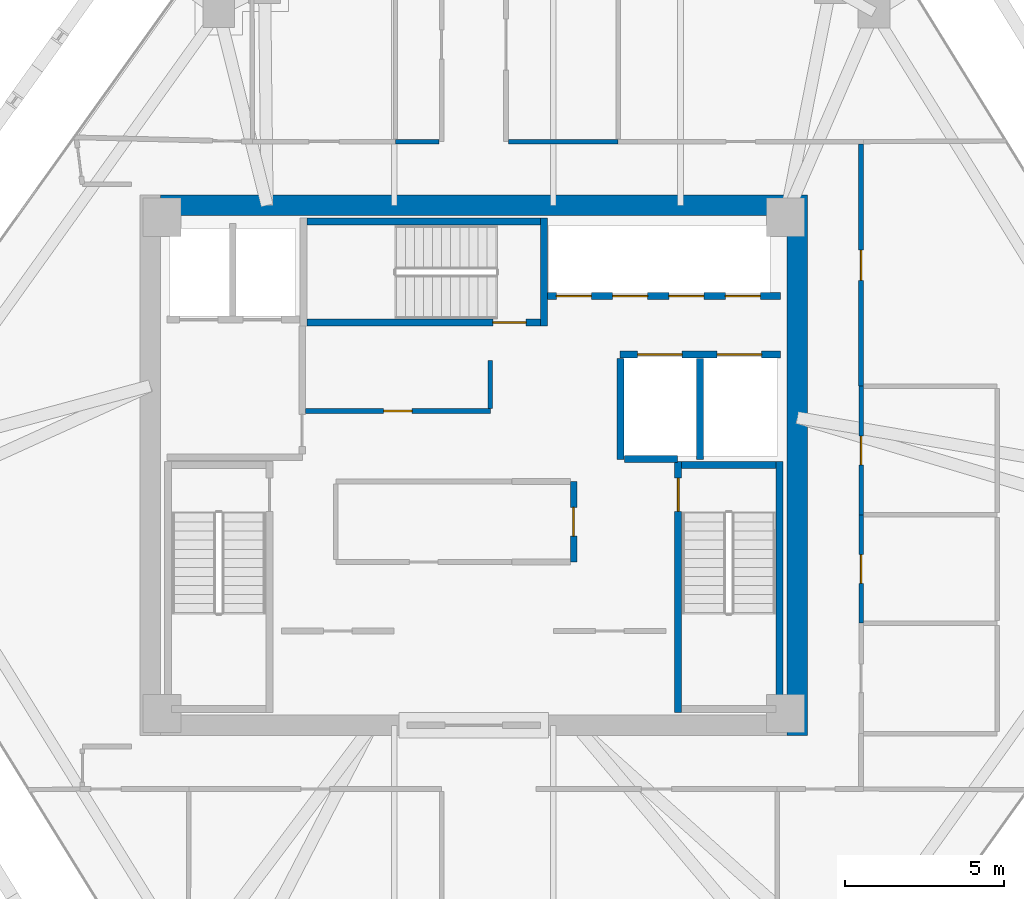
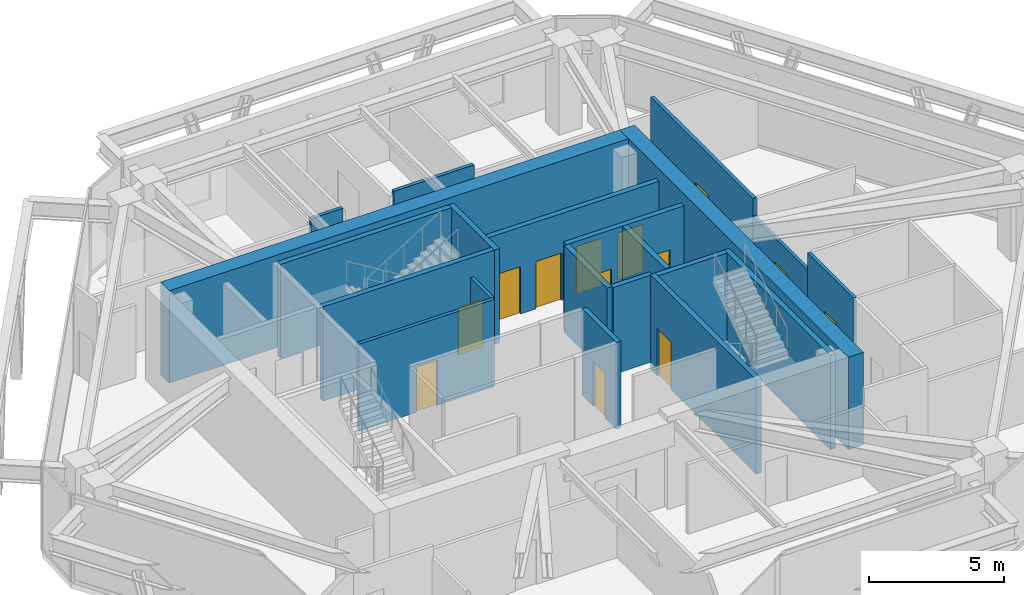
# One storey, part 9 of 11: 21 walls, 13 doors, 13 openings.
"""IFC4 building model written with IfcOpenShell, lengths in metres."""

import ifcopenshell
import ifcopenshell.guid

model = None  # the IFC model being written
_history = None  # IfcOwnerHistory: only IFC2X3 demands one
_inside = {}  # id of a spatial element -> (the spatial element, [elements in it])
_under = {}  # id of a project, library or spatial element -> (it, [spatial elements below it])
_declared = {}  # id of a project -> (the project, [libraries it declares])
_typed = {}  # id of a type object -> (the type object, [elements of that type])
_made_of = {}  # id of a material, layer set ... -> (it, [elements and type objects made of it])


def new_model(schema):
    """Start an empty IFC model of exactly this schema.

    Asked for "IFC4X3", IfcOpenShell would pick the latest addendum, in which some entities
    have other attributes; the version numbers below select the first issue.
    IFC2X3 requires an IfcOwnerHistory on every rooted entity: one is made here for all.
    """
    global model, _history
    if schema == "IFC4X3":
        model = ifcopenshell.file(schema_version=(4, 3, 0, 0))
    else:
        model = ifcopenshell.file(schema=schema)
    _inside.clear()
    _under.clear()
    _declared.clear()
    _typed.clear()
    _made_of.clear()
    _history = None
    if model.schema == "IFC2X3":
        org = make("IfcOrganization", Name="unknown")
        user = make(
            "IfcPersonAndOrganization",
            ThePerson=make("IfcPerson", FamilyName="unknown"),
            TheOrganization=org,
        )
        app = make(
            "IfcApplication",
            ApplicationDeveloper=org,
            Version="unknown",
            ApplicationFullName="unknown",
            ApplicationIdentifier="unknown",
        )
        _history = make(
            "IfcOwnerHistory",
            OwningUser=user,
            OwningApplication=app,
            ChangeAction="ADDED",
            CreationDate=0,
        )
    return model


def make(cls, **values):
    """One entity of the class cls with the attributes given. An attribute that is None is left unset."""
    return model.create_entity(
        cls, **{name: value for name, value in values.items() if value is not None}
    )


def rooted(cls, **values):
    """An entity with a GlobalId (a new one), such as an element, a storey or a relation."""
    return make(cls, GlobalId=ifcopenshell.guid.new(), OwnerHistory=_history, **values)


def si_unit(unit_type, name, prefix=None):
    """IfcSIUnit, for example si_unit("LENGTHUNIT", "METRE", prefix="MILLI")."""
    return make("IfcSIUnit", UnitType=unit_type, Prefix=prefix, Name=name)


def assignment(units):
    """IfcUnitAssignment: the units of a project."""
    return None if units is None else make("IfcUnitAssignment", Units=units)


def point(xyz):
    """IfcCartesianPoint."""
    return None if xyz is None else make("IfcCartesianPoint", Coordinates=xyz)


def direction(xyz):
    """IfcDirection."""
    return None if xyz is None else make("IfcDirection", DirectionRatios=xyz)


def frame(location, z_axis=None, x_axis=None):
    """IfcAxis2Placement3D, a coordinate frame: its origin and axes. An axis left out is left unset."""
    return make(
        "IfcAxis2Placement3D",
        Location=point(location),
        Axis=direction(z_axis),
        RefDirection=direction(x_axis),
    )


def frame_2d(location, x_axis=None):
    """IfcAxis2Placement2D, a coordinate frame in the plane: its origin and x axis."""
    return make(
        "IfcAxis2Placement2D", Location=point(location), RefDirection=direction(x_axis)
    )


def origin():
    """The frame at (0, 0, 0) with its axes left unset."""
    return frame((0.0, 0.0, 0.0))


def place(relative_to, where):
    """IfcLocalPlacement: puts the frame where relative to a parent placement (None: the world)."""
    return make(
        "IfcLocalPlacement", PlacementRelTo=relative_to, RelativePlacement=where
    )


def context(
    kind, dimensions, precision=None, world=None, true_north=None, identifier=None
):
    """IfcGeometricRepresentationContext, for example the 3D "Model" context."""
    return make(
        "IfcGeometricRepresentationContext",
        ContextIdentifier=identifier,
        ContextType=kind,
        CoordinateSpaceDimension=dimensions,
        Precision=precision,
        WorldCoordinateSystem=world,
        TrueNorth=true_north,
    )


def subcontext(parent, identifier, kind, view, scale=None):
    """IfcGeometricRepresentationSubContext, for example "Body" below "Model"."""
    return make(
        "IfcGeometricRepresentationSubContext",
        ContextIdentifier=identifier,
        ContextType=kind,
        ParentContext=parent,
        TargetScale=scale,
        TargetView=view,
    )


def project(units=None, contexts=None):
    """IfcProject with its units and contexts."""
    return rooted(
        "IfcProject",
        Name="project",
        RepresentationContexts=contexts,
        UnitsInContext=assignment(units),
    )


def spatial(cls, under=None, at=None, **own):
    """A site, building, storey or space (cls), placed at a placement, below another one or the project."""
    s = rooted(cls, ObjectPlacement=at, **own)
    if under is not None:
        _under.setdefault(under.id(), (under, []))[1].append(s)
    return s


def profile(cls, at=None, kind="AREA", **sizes):
    """A parametric profile (cls). Its sizes go by their IFC names, for example OverallWidth=200.0."""
    return make(cls, ProfileType=kind, Position=at, **sizes)


def rectangle(**sizes):
    """IfcRectangleProfileDef."""
    return profile("IfcRectangleProfileDef", **sizes)


def extrude(swept, where, along, depth):
    """IfcExtrudedAreaSolid: the profile swept, set in the frame where, extruded along a direction by depth."""
    return make(
        "IfcExtrudedAreaSolid",
        SweptArea=swept,
        Position=where,
        ExtrudedDirection=direction(along),
        Depth=depth,
    )


def shape(context_of_items, identifier, shape_type, items):
    """IfcShapeRepresentation: the items that make up one representation, for example the "Body"."""
    return make(
        "IfcShapeRepresentation",
        ContextOfItems=context_of_items,
        RepresentationIdentifier=identifier,
        RepresentationType=shape_type,
        Items=items,
    )


def source(mapping_origin, context_of_items, identifier, shape_type, items):
    """IfcRepresentationMap: a shape defined once, which mapped items show again and again."""
    return make(
        "IfcRepresentationMap",
        MappingOrigin=mapping_origin,
        MappedRepresentation=shape(context_of_items, identifier, shape_type, items),
    )


def transform(
    local_origin,
    x_axis=None,
    y_axis=None,
    z_axis=None,
    scale=None,
    scale2=None,
    scale3=None,
    uniform=True,
):
    """IfcCartesianTransformationOperator3D, or its non-uniform kind. x_axis, y_axis, z_axis: its Axis1, 2, 3."""
    if uniform:
        return make(
            "IfcCartesianTransformationOperator3D",
            Axis1=direction(x_axis),
            Axis2=direction(y_axis),
            LocalOrigin=point(local_origin),
            Scale=scale,
            Axis3=direction(z_axis),
        )
    return make(
        "IfcCartesianTransformationOperator3DnonUniform",
        Axis1=direction(x_axis),
        Axis2=direction(y_axis),
        LocalOrigin=point(local_origin),
        Scale=scale,
        Axis3=direction(z_axis),
        Scale2=scale2,
        Scale3=scale3,
    )


def mapped(mapping_source, mapping_target):
    """IfcMappedItem: shows the shape of a source again, moved by a transform."""
    return make(
        "IfcMappedItem", MappingSource=mapping_source, MappingTarget=mapping_target
    )


def material(Name=None, Category=None):
    """IfcMaterial."""
    return make("IfcMaterial", Name=Name, Category=Category)


def layer(
    of_material, thickness, ventilated=None, Name=None, Category=None, Priority=None
):
    """IfcMaterialLayer: one layer of a wall or slab, of a material (None: an air gap)."""
    return make(
        "IfcMaterialLayer",
        Material=of_material,
        LayerThickness=thickness,
        IsVentilated=ventilated,
        Name=Name,
        Category=Category,
        Priority=Priority,
    )


def layer_set(layers, Name=None):
    """IfcMaterialLayerSet."""
    return make("IfcMaterialLayerSet", MaterialLayers=layers, LayerSetName=Name)


def made_of(thing, what):
    """Note that an element or type object is made of a material, layer set ...; save() writes the relation."""
    if what is not None:
        _made_of.setdefault(what.id(), (what, []))[1].append(thing)
    return thing


def type_object(cls, material=None, **own):
    """A type object (cls), such as IfcWallType, which elements share."""
    return made_of(rooted(cls, **own), material)


def type_shapes(of_type, sources):
    """Give a type object the sources (RepresentationMaps) that its elements show as mapped items."""
    of_type.RepresentationMaps = sources


def element(
    cls,
    number,
    at=None,
    inside=None,
    cuts=None,
    type_object=None,
    material=None,
    context=None,
    identifier="Body",
    shape_type=None,
    held_by="IfcProductDefinitionShape",
    body=None,
    shapes=None,
    **own,
):
    """One element of the class cls, such as IfcWall. Its Tag is "e" and its number.

    at: its placement. inside: the storey or other place that contains it. cuts: it is an
    opening in that element (IfcRelVoidsElement). A single representation is given by context,
    identifier, shape_type and body (its items); several are given by shapes. held_by: the class
    of the entity that holds the representations. save() writes the other relations.
    """
    e = rooted(cls, Tag="e%d" % number, ObjectPlacement=at, **own)
    if body is not None:
        shapes = [shape(context, identifier, shape_type, body)]
    if shapes is not None:
        e.Representation = make(held_by, Representations=shapes)
    if inside is not None:
        _inside.setdefault(inside.id(), (inside, []))[1].append(e)
    if cuts is not None:
        rooted(
            "IfcRelVoidsElement", RelatingBuildingElement=cuts, RelatedOpeningElement=e
        )
    if type_object is not None:
        _typed.setdefault(type_object.id(), (type_object, []))[1].append(e)
    return made_of(e, material)


def fill(opening, filler):
    """IfcRelFillsElement: the door or window that sits in an opening."""
    return rooted(
        "IfcRelFillsElement",
        RelatingOpeningElement=opening,
        RelatedBuildingElement=filler,
    )


def aggregate(whole, parts):
    """IfcRelAggregates: a whole, such as a stair, and the parts it consists of."""
    return rooted("IfcRelAggregates", RelatingObject=whole, RelatedObjects=parts)


def save(model, path):
    """Write the relations noted so far, then the file.

    IfcRelAggregates (storeys below a building ...), IfcRelContainedInSpatialStructure (elements
    in a storey), IfcRelDefinesByType, IfcRelAssociatesMaterial and IfcRelDeclares: one each for
    every whole, place, type object, material and project.
    """
    for whole, parts in _under.values():
        aggregate(whole, parts)
    for where, things in _inside.values():
        rooted(
            "IfcRelContainedInSpatialStructure",
            RelatedElements=things,
            RelatingStructure=where,
        )
    for kind, things in _typed.values():
        rooted("IfcRelDefinesByType", RelatedObjects=things, RelatingType=kind)
    for what, things in _made_of.values():
        rooted("IfcRelAssociatesMaterial", RelatedObjects=things, RelatingMaterial=what)
    for by, libraries in _declared.values():
        rooted("IfcRelDeclares", RelatingContext=by, RelatedDefinitions=libraries)
    model.write(path)


model = new_model("IFC4")

# Units and contexts
model_context = context("Model", 3, precision=1e-05, world=origin(), true_north=direction((0.0, 1.0)))
body_context = subcontext(model_context, "Body", "Model", "MODEL_VIEW")
ifc_project = project(units=[si_unit("LENGTHUNIT", "METRE"), si_unit("AREAUNIT", "SQUARE_METRE"), si_unit("VOLUMEUNIT", "CUBIC_METRE"), si_unit("PLANEANGLEUNIT", "RADIAN"), si_unit("MASSUNIT", "GRAM", prefix="KILO")], contexts=[model_context])

# Site, building, storey
site_placement = place(None, origin())
site = spatial("IfcSite", under=ifc_project, at=site_placement, CompositionType="ELEMENT")
building_placement = place(site_placement, origin())
building = spatial("IfcBuilding", under=site, at=building_placement, Name="Durnholm Broadcast Tower", CompositionType="ELEMENT")
storey_placement = place(building_placement, frame((0.0, 0.0, 155.10009765625)))
storey = spatial("IfcBuildingStorey", under=building, at=storey_placement, Name="L42", CompositionType="ELEMENT", Elevation=155.10009765625)

# Walls
ifc_material_1 = material(Name="Concrete C70/85", Category="concrete")
ifc_layer_1 = layer(ifc_material_1, 0.64990234375)
ifc_layer_set_1 = layer_set([ifc_layer_1], Name="Concrete C70/85")
wall_type_1 = type_object("IfcWallType", Name="WALL-CW-650", PredefinedType="SHEAR", material=ifc_layer_set_1)
wall_1_placement = place(storey_placement, frame((10.175048828125, -8.5, 0.0), z_axis=(0.0, 0.0, 1.0), x_axis=(0.0, 1.0, 0.0)))
element("IfcWall", 1, at=wall_1_placement, inside=storey, type_object=wall_type_1, Name="L42 central core shear wall CW-EAST", PredefinedType="SHEAR", context=body_context, shape_type="SweptSolid", body=[
    extrude(rectangle(XDim=17.0, YDim=0.64990234375, at=frame_2d((8.5, 0.0))), origin(), (0.0, 0.0, 1.0), 4.199951171875),
])
wall_2_placement = place(storey_placement, frame((-9.85009765625, 8.175048828125, 0.0), z_axis=(0.0, 0.0, 1.0), x_axis=(1.0, 0.0, 0.0)))
element("IfcWall", 2, at=wall_2_placement, inside=storey, type_object=wall_type_1, Name="L42 central core shear wall CW-N", PredefinedType="SHEAR", context=body_context, shape_type="SweptSolid", body=[
    extrude(rectangle(XDim=19.7001953125, YDim=0.64990234375, at=frame_2d((9.85009765625, 0.0))), origin(), (0.0, 0.0, 1.0), 4.199951171875),
])

# Wall, opening, door
ifc_material_2 = material(Name="Fire-Rated Gypsum Shaftwall", Category="concrete")
ifc_layer_2 = layer(ifc_material_2, 0.199951171875)
ifc_layer_set_2 = layer_set([ifc_layer_2], Name="Fire-Rated Gypsum Shaftwall")
wall_type_2 = type_object("IfcWallType", Name="WALL-LOB-200", PredefinedType="SOLIDWALL", material=ifc_layer_set_2)
wall_3_placement = place(storey_placement, frame((3.139892578125, -0.510009765625, 0.0), z_axis=(0.0, 0.0, 1.0), x_axis=(0.0, -1.0, 0.0)))
wall_3 = element("IfcWall", 3, at=wall_3_placement, inside=storey, type_object=wall_type_2, Name="L42 Core IT Telecom Room corridor partition", PredefinedType="SOLIDWALL", context=body_context, shape_type="SweptSolid", body=[
    extrude(rectangle(XDim=2.530029296875, YDim=0.199951171875, at=frame_2d((1.26513671875, 0.0))), origin(), (0.0, 0.0, 1.0), 3.94482421875),
])
opening_1_placement = place(wall_3_placement, frame((0.81494140625, 0.0, 0.0)))
opening_1 = element("IfcOpeningElement", 4, at=opening_1_placement, cuts=wall_3, Name="Opening DC-60R", PredefinedType="OPENING", context=body_context, shape_type="SweptSolid", body=[
    extrude(rectangle(XDim=0.89990234375, YDim=2.050048828125, at=frame_2d((0.449951171875, 1.02490234375))), frame((0.0, 0.10986328125, 0.0), z_axis=(0.0, -1.0, 0.0), x_axis=(1.0, 0.0, 0.0)), (0.0, 0.0, 1.0), 0.219970703125),
])
ifc_material_3 = material(Name="Fire-Rated Core Service Door", Category="steel")
ifc_layer_3 = layer(ifc_material_3, 0.050048828125)
ifc_layer_set_3 = layer_set([ifc_layer_3], Name="Fire-Rated Core Service Door")
door_type_1 = type_object("IfcDoorType", Name="DOOR-CORE-FD60-R", OperationType="NOTDEFINED", PredefinedType="DOOR", material=ifc_layer_set_3)
shared_shape_1 = source(origin(), body_context, "Body", "SweptSolid", [
    extrude(rectangle(XDim=0.89990234375, YDim=2.050048828125, at=frame_2d((0.449951171875, 1.02490234375))), frame((0.0, 0.02490234375, 0.0), z_axis=(0.0, -1.0, 0.0), x_axis=(1.0, 0.0, 0.0)), (0.0, 0.0, 1.0), 0.050048828125),
])
type_shapes(door_type_1, [shared_shape_1])
door_1_placement = place(opening_1_placement, origin())
door_1 = element("IfcDoor", 5, at=door_1_placement, inside=storey, type_object=door_type_1, Name="L42 Core IT Telecom Room entrance door", OperationType="SINGLE_SWING_RIGHT", OverallHeight=2.050048828125, OverallWidth=0.89990234375, PredefinedType="DOOR", context=body_context, shape_type="MappedRepresentation", body=[
    mapped(shared_shape_1, transform((0.0, 0.0, 0.0), x_axis=(1.0, 0.0, 0.0), y_axis=(0.0, 1.0, 0.0), z_axis=(0.0, 0.0, 1.0), scale=1.0)),
])
fill(opening_1, door_1)

ifc_material_4 = material(Name="Acoustic Gypsum Stud Partition", Category="concrete")
ifc_layer_4 = layer(ifc_material_4, 0.14990234375)
ifc_layer_set_4 = layer_set([ifc_layer_4], Name="Acoustic Gypsum Stud Partition")
wall_type_3 = type_object("IfcWallType", Name="WALL-PART-150", PredefinedType="PARTITIONING", material=ifc_layer_set_4)
wall_4_placement = place(storey_placement, frame((0.52001953125, 1.7099609375, 0.0), z_axis=(0.0, 0.0, 1.0), x_axis=(-1.0, 0.0, 0.0)))
wall_4 = element("IfcWall", 6, at=wall_4_placement, inside=storey, type_object=wall_type_3, Name="L42 Core Housekeeping Room corridor partition", PredefinedType="PARTITIONING", context=body_context, shape_type="SweptSolid", body=[
    extrude(rectangle(XDim=5.81591796875, YDim=0.14990234375, at=frame_2d((2.907958984375, 0.0))), origin(), (0.0, 0.0, 1.0), 3.94482421875),
])
opening_2_placement = place(wall_4_placement, frame((2.4580078125, 0.0, 0.0)))
opening_2 = element("IfcOpeningElement", 7, at=opening_2_placement, cuts=wall_4, Name="Opening DC-60L", PredefinedType="OPENING", context=body_context, shape_type="SweptSolid", body=[
    extrude(rectangle(XDim=0.89990234375, YDim=2.050048828125, at=frame_2d((0.449951171875, 1.02490234375))), frame((0.0, 0.0849609375, 0.0), z_axis=(0.0, -1.0, 0.0), x_axis=(1.0, 0.0, 0.0)), (0.0, 0.0, 1.0), 0.169921875),
])
ifc_layer_5 = layer(ifc_material_3, 0.050048828125)
ifc_layer_set_5 = layer_set([ifc_layer_5], Name="Fire-Rated Core Service Door")
door_type_2 = type_object("IfcDoorType", Name="DOOR-CORE-FD60-L", OperationType="NOTDEFINED", PredefinedType="DOOR", material=ifc_layer_set_5)
shared_shape_2 = source(origin(), body_context, "Body", "SweptSolid", [
    extrude(rectangle(XDim=0.89990234375, YDim=2.050048828125, at=frame_2d((0.449951171875, 1.02490234375))), frame((0.0, 0.02490234375, 0.0), z_axis=(0.0, -1.0, 0.0), x_axis=(1.0, 0.0, 0.0)), (0.0, 0.0, 1.0), 0.050048828125),
])
type_shapes(door_type_2, [shared_shape_2])
door_2_placement = place(opening_2_placement, origin())
door_2 = element("IfcDoor", 8, at=door_2_placement, inside=storey, type_object=door_type_2, Name="L42 Core Housekeeping Room entrance door", OperationType="SINGLE_SWING_LEFT", OverallHeight=2.050048828125, OverallWidth=0.89990234375, PredefinedType="DOOR", context=body_context, shape_type="MappedRepresentation", body=[
    mapped(shared_shape_2, transform((0.0, 0.0, 0.0), x_axis=(1.0, 0.0, 0.0), y_axis=(0.0, 1.0, 0.0), z_axis=(0.0, 0.0, 1.0), scale=1.0)),
])
fill(opening_2, door_2)

# Walls
wall_5_placement = place(storey_placement, frame((0.52001953125, 3.300048828125, 0.0), z_axis=(0.0, 0.0, 1.0), x_axis=(0.0, -1.0, 0.0)))
element("IfcWall", 9, at=wall_5_placement, inside=storey, type_object=wall_type_3, Name="L42 Core Housekeeping Room corridor partition", PredefinedType="PARTITIONING", context=body_context, shape_type="SweptSolid", body=[
    extrude(rectangle(XDim=1.510986328125, YDim=0.14990234375, at=frame_2d((0.75537109375, 0.0))), origin(), (0.0, 0.0, 1.0), 3.94482421875),
])
wall_6_placement = place(storey_placement, frame((-1.089111328125, 10.179931640625, 0.0), z_axis=(0.0, 0.0, 1.0), x_axis=(-1.0, 0.0, 0.0)))
element("IfcWall", 10, at=wall_6_placement, inside=storey, type_object=wall_type_3, Name="L42 Sky Terrace Lounge corridor partition", PredefinedType="PARTITIONING", context=body_context, shape_type="SweptSolid", body=[
    extrude(rectangle(XDim=1.370849609375, YDim=0.14990234375, at=frame_2d((0.685546875, 0.0))), origin(), (0.0, 0.0, 1.0), 3.50830078125),
])
wall_7_placement = place(storey_placement, frame((4.5400390625, 10.179931640625, 0.0), z_axis=(0.0, 0.0, 1.0), x_axis=(-1.0, 0.0, 0.0)))
element("IfcWall", 11, at=wall_7_placement, inside=storey, type_object=wall_type_3, Name="L42 Town Hall Meeting Room corridor partition", PredefinedType="PARTITIONING", context=body_context, shape_type="SweptSolid", body=[
    extrude(rectangle(XDim=3.450927734375, YDim=0.14990234375, at=frame_2d((1.7255859375, 0.0))), origin(), (0.0, 0.0, 1.0), 3.50830078125),
])

# Wall, opening, door
wall_8_placement = place(storey_placement, frame((12.179931640625, 2.489990234375, 0.0), z_axis=(0.0, 0.0, 1.0), x_axis=(0.0, 1.0, 0.0)))
wall_8 = element("IfcWall", 12, at=wall_8_placement, inside=storey, type_object=wall_type_3, Name="L42 Sky Barista Kitchen corridor partition", PredefinedType="PARTITIONING", context=body_context, shape_type="SweptSolid", body=[
    extrude(rectangle(XDim=7.611083984375, YDim=0.14990234375, at=frame_2d((3.8056640625, 0.0))), origin(), (0.0, 0.0, 1.0), 3.94482421875),
])
opening_3_placement = place(wall_8_placement, frame((3.33056640625, 0.0, 0.0)))
opening_3 = element("IfcOpeningElement", 13, at=opening_3_placement, cuts=wall_8, Name="Opening DR-95R", PredefinedType="OPENING", context=body_context, shape_type="SweptSolid", body=[
    extrude(rectangle(XDim=0.949951171875, YDim=2.10009765625, at=frame_2d((0.47509765625, 1.050048828125))), frame((0.0, 0.0849609375, 0.0), z_axis=(0.0, -1.0, 0.0), x_axis=(1.0, 0.0, 0.0)), (0.0, 0.0, 1.0), 0.169921875),
])
ifc_material_5 = material(Name="Acoustic Oak Veneer Timber Door", Category="wood")
ifc_layer_6 = layer(ifc_material_5, 0.050048828125)
ifc_layer_set_6 = layer_set([ifc_layer_6], Name="Acoustic Oak Veneer Timber Door")
door_type_3 = type_object("IfcDoorType", Name="DOOR-RM-950R", OperationType="NOTDEFINED", PredefinedType="DOOR", material=ifc_layer_set_6)
shared_shape_3 = source(origin(), body_context, "Body", "SweptSolid", [
    extrude(rectangle(XDim=0.949951171875, YDim=2.10009765625, at=frame_2d((0.47509765625, 1.050048828125))), frame((0.0, 0.02490234375, 0.0), z_axis=(0.0, -1.0, 0.0), x_axis=(1.0, 0.0, 0.0)), (0.0, 0.0, 1.0), 0.050048828125),
])
type_shapes(door_type_3, [shared_shape_3])
door_3_placement = place(opening_3_placement, origin())
door_3 = element("IfcDoor", 14, at=door_3_placement, inside=storey, type_object=door_type_3, Name="L42 Sky Barista Kitchen entrance door", OperationType="SINGLE_SWING_RIGHT", OverallHeight=2.10009765625, OverallWidth=0.949951171875, PredefinedType="DOOR", context=body_context, shape_type="MappedRepresentation", body=[
    mapped(shared_shape_3, transform((0.0, 0.0, 0.0), x_axis=(1.0, 0.0, 0.0), y_axis=(0.0, 1.0, 0.0), z_axis=(0.0, 0.0, 1.0), scale=1.0)),
])
fill(opening_3, door_3)

# Wall, openings, doors
ifc_material_6 = material(Name="Concrete Blockwork C30/37", Category="masonry")
ifc_layer_7 = layer(ifc_material_6, 0.219970703125)
ifc_layer_set_7 = layer_set([ifc_layer_7], Name="Concrete Blockwork C30/37")
wall_type_4 = type_object("IfcWallType", Name="WALL-SHAFT-220", PredefinedType="SOLIDWALL", material=ifc_layer_set_7)
wall_9_placement = place(storey_placement, frame((4.60009765625, 3.47998046875, 0.0), z_axis=(0.0, 0.0, 1.0), x_axis=(1.0, 0.0, 0.0)))
wall_9 = element("IfcWall", 15, at=wall_9_placement, inside=storey, type_object=wall_type_4, Name="L42 freight service lifts north front wall", PredefinedType="SOLIDWALL", context=body_context, shape_type="SweptSolid", body=[
    extrude(rectangle(XDim=5.0498046875, YDim=0.219970703125, at=frame_2d((2.52490234375, 0.0))), origin(), (0.0, 0.0, 1.0), 3.94482421875),
])
opening_4_placement = place(wall_9_placement, frame((0.550048828125, 0.0, 0.0)))
opening_4 = element("IfcOpeningElement", 16, at=opening_4_placement, cuts=wall_9, Name="Opening LD-SVL-2", PredefinedType="OPENING", context=body_context, shape_type="SweptSolid", body=[
    extrude(rectangle(XDim=1.39990234375, YDim=2.14990234375, at=frame_2d((0.699951171875, 1.074951171875))), frame((0.0, 0.1201171875, 0.0), z_axis=(0.0, -1.0, 0.0), x_axis=(1.0, 0.0, 0.0)), (0.0, 0.0, 1.0), 0.239990234375),
])
opening_5_placement = place(wall_9_placement, frame((3.050048828125, 0.0, 0.0)))
opening_5 = element("IfcOpeningElement", 17, at=opening_5_placement, cuts=wall_9, Name="Opening LD-SVL-1", PredefinedType="OPENING", context=body_context, shape_type="SweptSolid", body=[
    extrude(rectangle(XDim=1.39990234375, YDim=2.14990234375, at=frame_2d((0.699951171875, 1.074951171875))), frame((0.0, 0.1201171875, 0.0), z_axis=(0.0, -1.0, 0.0), x_axis=(1.0, 0.0, 0.0)), (0.0, 0.0, 1.0), 0.239990234375),
])
ifc_material_7 = material(Name="Freight Elevator Bi-Parting Sliding Landing Door", Category="steel")
ifc_layer_8 = layer(ifc_material_7, 0.050048828125)
ifc_layer_set_8 = layer_set([ifc_layer_8], Name="Freight Elevator Bi-Parting Sliding Landing Door")
door_type_4 = type_object("IfcDoorType", Name="DOOR-LIFT-SVL", OperationType="DOUBLE_DOOR_SLIDING", PredefinedType="DOOR", material=ifc_layer_set_8)
shared_shape_4 = source(origin(), body_context, "Body", "SweptSolid", [
    extrude(rectangle(XDim=1.39990234375, YDim=2.14990234375, at=frame_2d((0.699951171875, 1.074951171875))), frame((0.0, 0.02490234375, 0.0), z_axis=(0.0, -1.0, 0.0), x_axis=(1.0, 0.0, 0.0)), (0.0, 0.0, 1.0), 0.050048828125),
])
type_shapes(door_type_4, [shared_shape_4])
door_4_placement = place(opening_4_placement, origin())
door_4 = element("IfcDoor", 18, at=door_4_placement, inside=storey, type_object=door_type_4, Name="L42 freight service elevator SVL-2 sliding landing door", OperationType="DOUBLE_DOOR_SLIDING", OverallHeight=2.14990234375, OverallWidth=1.39990234375, PredefinedType="DOOR", context=body_context, shape_type="MappedRepresentation", body=[
    mapped(shared_shape_4, transform((0.0, 0.0, 0.0), x_axis=(1.0, 0.0, 0.0), y_axis=(0.0, 1.0, 0.0), z_axis=(0.0, 0.0, 1.0), scale=1.0)),
])
fill(opening_4, door_4)
door_5_placement = place(opening_5_placement, origin())
door_5 = element("IfcDoor", 19, at=door_5_placement, inside=storey, type_object=door_type_4, Name="L42 freight service elevator SVL-1 sliding landing door", OperationType="DOUBLE_DOOR_SLIDING", OverallHeight=2.14990234375, OverallWidth=1.39990234375, PredefinedType="DOOR", context=body_context, shape_type="MappedRepresentation", body=[
    mapped(shared_shape_4, transform((0.0, 0.0, 0.0), x_axis=(1.0, 0.0, 0.0), y_axis=(0.0, 1.0, 0.0), z_axis=(0.0, 0.0, 1.0), scale=1.0)),
])
fill(opening_5, door_5)

# Walls
for number, where, z_axis, x_axis, name in (
    (20, (4.6201171875, 0.179931640625, 0.0), (0.0, 0.0, 1.0), (0.0, 1.0, 0.0), "L42 freight service lift SVL-2 west wall"),
    (21, (7.1201171875, 0.179931640625, 0.0), (0.0, 0.0, 1.0), (0.0, 1.0, 0.0), "L42 freight service lifts divider wall"),
):
    element("IfcWall", number, at=place(storey_placement, frame(where, z_axis=z_axis, x_axis=x_axis)), inside=storey, type_object=wall_type_4, Name=name, PredefinedType="SOLIDWALL", context=body_context, shape_type="SweptSolid", body=[
        extrude(rectangle(XDim=3.18603515625, YDim=0.219970703125, at=frame_2d((1.593017578125, 0.0))), origin(), (0.0, 0.0, 1.0), 3.94482421875),
    ])
wall_10_placement = place(storey_placement, frame((4.73388671875, 0.199951171875, 0.0), z_axis=(0.0, 0.0, 1.0), x_axis=(1.0, 0.0, 0.0)))
element("IfcWall", 22, at=wall_10_placement, inside=storey, type_object=wall_type_4, Name="L42 freight service lift SVL-2 south wall", PredefinedType="SOLIDWALL", context=body_context, shape_type="SweptSolid", body=[
    extrude(rectangle(XDim=1.666015625, YDim=0.219970703125, at=frame_2d((0.8330078125, 0.0))), origin(), (0.0, 0.0, 1.0), 3.94482421875),
])

# Wall, openings, doors
wall_11_placement = place(storey_placement, frame((2.324951171875, 5.320068359375, 0.0), z_axis=(0.0, 0.0, 1.0), x_axis=(1.0, 0.0, 0.0)))
wall_11 = element("IfcWall", 23, at=wall_11_placement, inside=storey, type_object=wall_type_4, Name="L42 high-rise bank P3 south front wall", PredefinedType="SOLIDWALL", context=body_context, shape_type="SweptSolid", body=[
    extrude(rectangle(XDim=7.324951171875, YDim=0.219970703125, at=frame_2d((3.66259765625, 0.0))), origin(), (0.0, 0.0, 1.0), 3.94482421875),
])
opening_6_placement = place(wall_11_placement, frame((0.27490234375, 0.0, 0.0)))
opening_6 = element("IfcOpeningElement", 24, at=opening_6_placement, cuts=wall_11, Name="Opening LD-LP3-1", PredefinedType="OPENING", context=body_context, shape_type="SweptSolid", body=[
    extrude(rectangle(XDim=1.10009765625, YDim=2.14990234375, at=frame_2d((0.550048828125, 1.074951171875))), frame((0.0, 0.1201171875, 0.0), z_axis=(0.0, -1.0, 0.0), x_axis=(1.0, 0.0, 0.0)), (0.0, 0.0, 1.0), 0.239990234375),
])
opening_7_placement = place(wall_11_placement, frame((2.044921875, 0.0, 0.0)))
opening_7 = element("IfcOpeningElement", 25, at=opening_7_placement, cuts=wall_11, Name="Opening LD-LP3-2", PredefinedType="OPENING", context=body_context, shape_type="SweptSolid", body=[
    extrude(rectangle(XDim=1.10009765625, YDim=2.14990234375, at=frame_2d((0.550048828125, 1.074951171875))), frame((0.0, 0.1201171875, 0.0), z_axis=(0.0, -1.0, 0.0), x_axis=(1.0, 0.0, 0.0)), (0.0, 0.0, 1.0), 0.239990234375),
])
opening_8_placement = place(wall_11_placement, frame((3.81494140625, 0.0, 0.0)))
opening_8 = element("IfcOpeningElement", 26, at=opening_8_placement, cuts=wall_11, Name="Opening LD-LP3-3", PredefinedType="OPENING", context=body_context, shape_type="SweptSolid", body=[
    extrude(rectangle(XDim=1.10009765625, YDim=2.14990234375, at=frame_2d((0.550048828125, 1.074951171875))), frame((0.0, 0.1201171875, 0.0), z_axis=(0.0, -1.0, 0.0), x_axis=(1.0, 0.0, 0.0)), (0.0, 0.0, 1.0), 0.239990234375),
])
opening_9_placement = place(wall_11_placement, frame((5.5849609375, 0.0, 0.0)))
opening_9 = element("IfcOpeningElement", 27, at=opening_9_placement, cuts=wall_11, Name="Opening LD-LP3-4", PredefinedType="OPENING", context=body_context, shape_type="SweptSolid", body=[
    extrude(rectangle(XDim=1.10009765625, YDim=2.14990234375, at=frame_2d((0.550048828125, 1.074951171875))), frame((0.0, 0.1201171875, 0.0), z_axis=(0.0, -1.0, 0.0), x_axis=(1.0, 0.0, 0.0)), (0.0, 0.0, 1.0), 0.239990234375),
])
ifc_material_8 = material(Name="Stainless Steel Sliding Elevator Landing Door", Category="steel")
ifc_layer_9 = layer(ifc_material_8, 0.050048828125)
ifc_layer_set_9 = layer_set([ifc_layer_9], Name="Stainless Steel Sliding Elevator Landing Door")
door_type_5 = type_object("IfcDoorType", Name="DOOR-LIFT-PAX", OperationType="DOUBLE_DOOR_SLIDING", PredefinedType="DOOR", material=ifc_layer_set_9)
shared_shape_5 = source(origin(), body_context, "Body", "SweptSolid", [
    extrude(rectangle(XDim=1.10009765625, YDim=2.14990234375, at=frame_2d((0.550048828125, 1.074951171875))), frame((0.0, 0.02490234375, 0.0), z_axis=(0.0, -1.0, 0.0), x_axis=(1.0, 0.0, 0.0)), (0.0, 0.0, 1.0), 0.050048828125),
])
type_shapes(door_type_5, [shared_shape_5])
door_6_placement = place(opening_6_placement, origin())
door_6 = element("IfcDoor", 28, at=door_6_placement, inside=storey, type_object=door_type_5, Name="L42 high-rise elevator LP3-1 sliding landing door", OperationType="DOUBLE_DOOR_SLIDING", OverallHeight=2.14990234375, OverallWidth=1.10009765625, PredefinedType="DOOR", context=body_context, shape_type="MappedRepresentation", body=[
    mapped(shared_shape_5, transform((0.0, 0.0, 0.0), x_axis=(1.0, 0.0, 0.0), y_axis=(0.0, 1.0, 0.0), z_axis=(0.0, 0.0, 1.0), scale=1.0)),
])
fill(opening_6, door_6)
door_7_placement = place(opening_7_placement, origin())
door_7 = element("IfcDoor", 29, at=door_7_placement, inside=storey, type_object=door_type_5, Name="L42 high-rise elevator LP3-2 sliding landing door", OperationType="DOUBLE_DOOR_SLIDING", OverallHeight=2.14990234375, OverallWidth=1.10009765625, PredefinedType="DOOR", context=body_context, shape_type="MappedRepresentation", body=[
    mapped(shared_shape_5, transform((0.0, 0.0, 0.0), x_axis=(1.0, 0.0, 0.0), y_axis=(0.0, 1.0, 0.0), z_axis=(0.0, 0.0, 1.0), scale=1.0)),
])
fill(opening_7, door_7)
door_8_placement = place(opening_8_placement, origin())
door_8 = element("IfcDoor", 30, at=door_8_placement, inside=storey, type_object=door_type_5, Name="L42 high-rise elevator LP3-3 sliding landing door", OperationType="DOUBLE_DOOR_SLIDING", OverallHeight=2.14990234375, OverallWidth=1.10009765625, PredefinedType="DOOR", context=body_context, shape_type="MappedRepresentation", body=[
    mapped(shared_shape_5, transform((0.0, 0.0, 0.0), x_axis=(1.0, 0.0, 0.0), y_axis=(0.0, 1.0, 0.0), z_axis=(0.0, 0.0, 1.0), scale=1.0)),
])
fill(opening_8, door_8)
door_9_placement = place(opening_9_placement, origin())
door_9 = element("IfcDoor", 31, at=door_9_placement, inside=storey, type_object=door_type_5, Name="L42 high-rise elevator LP3-4 sliding landing door", OperationType="DOUBLE_DOOR_SLIDING", OverallHeight=2.14990234375, OverallWidth=1.10009765625, PredefinedType="DOOR", context=body_context, shape_type="MappedRepresentation", body=[
    mapped(shared_shape_5, transform((0.0, 0.0, 0.0), x_axis=(1.0, 0.0, 0.0), y_axis=(0.0, 1.0, 0.0), z_axis=(0.0, 0.0, 1.0), scale=1.0)),
])
fill(opening_9, door_9)

# Wall
ifc_material_9 = material(Name="Concrete C50/60", Category="concrete")
ifc_layer_10 = layer(ifc_material_9, 0.219970703125)
ifc_layer_set_10 = layer_set([ifc_layer_10], Name="Concrete C50/60")
wall_type_5 = type_object("IfcWallType", Name="WALL-SW-220", PredefinedType="SHEAR", material=ifc_layer_set_10)
wall_12_placement = place(storey_placement, frame((9.610107421875, -7.77001953125, -0.320068359375), z_axis=(0.0, 0.0, 1.0), x_axis=(0.0, 1.0, 0.0)))
element("IfcWall", 32, at=wall_12_placement, inside=storey, type_object=wall_type_5, Name="L42 stair ST-2 structural shaft wall E", PredefinedType="SHEAR", context=body_context, shape_type="SweptSolid", body=[
    extrude(rectangle(XDim=7.89013671875, YDim=0.219970703125, at=frame_2d((3.945068359375, 0.0))), origin(), (0.0, 0.0, 1.0), 4.280029296875),
])

# Wall, opening, door
wall_13_placement = place(storey_placement, frame((6.429931640625, 0.1201171875, -0.320068359375), z_axis=(0.0, 0.0, 1.0), x_axis=(0.0, -1.0, 0.0)))
wall_13 = element("IfcWall", 33, at=wall_13_placement, inside=storey, type_object=wall_type_5, Name="L42 stair ST-2 structural shaft wall W", PredefinedType="SHEAR", context=body_context, shape_type="SweptSolid", body=[
    extrude(rectangle(XDim=7.89013671875, YDim=0.219970703125, at=frame_2d((3.945068359375, 0.0))), origin(), (0.0, 0.0, 1.0), 4.280029296875),
])
opening_10_placement = place(wall_13_placement, frame((0.52001953125, 0.0, 0.0)))
opening_10 = element("IfcOpeningElement", 34, at=opening_10_placement, cuts=wall_13, Name="Opening DS-90R", PredefinedType="OPENING", context=body_context, shape_type="SweptSolid", body=[
    extrude(rectangle(XDim=1.050048828125, YDim=2.14990234375, at=frame_2d((0.52490234375, 1.074951171875))), frame((0.0, 0.1201171875, 0.0), z_axis=(0.0, -1.0, 0.0), x_axis=(1.0, 0.0, 0.0)), (0.0, 0.0, 1.0), 0.239990234375),
])
ifc_material_10 = material(Name="Fire-Rated Steel Door", Category="steel")
ifc_layer_11 = layer(ifc_material_10, 0.050048828125)
ifc_layer_set_11 = layer_set([ifc_layer_11], Name="Fire-Rated Steel Door")
door_type_6 = type_object("IfcDoorType", Name="DOOR-ST-FD90-R", OperationType="NOTDEFINED", PredefinedType="DOOR", material=ifc_layer_set_11)
shared_shape_6 = source(origin(), body_context, "Body", "SweptSolid", [
    extrude(rectangle(XDim=1.050048828125, YDim=2.14990234375, at=frame_2d((0.52490234375, 1.074951171875))), frame((0.0, 0.02490234375, 0.0), z_axis=(0.0, -1.0, 0.0), x_axis=(1.0, 0.0, 0.0)), (0.0, 0.0, 1.0), 0.050048828125),
])
type_shapes(door_type_6, [shared_shape_6])
door_10_placement = place(opening_10_placement, origin())
door_10 = element("IfcDoor", 35, at=door_10_placement, inside=storey, type_object=door_type_6, Name="L42 exit stair ST-2 fire door", OperationType="SINGLE_SWING_RIGHT", OverallHeight=2.14990234375, OverallWidth=1.050048828125, PredefinedType="DOOR", context=body_context, shape_type="MappedRepresentation", body=[
    mapped(shared_shape_6, transform((0.0, 0.0, 0.0), x_axis=(1.0, 0.0, 0.0), y_axis=(0.0, 1.0, 0.0), z_axis=(0.0, 0.0, 1.0), scale=1.0)),
])
fill(opening_10, door_10)

# Walls
wall_14_placement = place(storey_placement, frame((9.5, 0.010009765625, -0.320068359375), z_axis=(0.0, 0.0, 1.0), x_axis=(-1.0, 0.0, 0.0)))
element("IfcWall", 36, at=wall_14_placement, inside=storey, type_object=wall_type_5, Name="L42 stair ST-2 structural shaft wall N", PredefinedType="SHEAR", context=body_context, shape_type="SweptSolid", body=[
    extrude(rectangle(XDim=2.9599609375, YDim=0.219970703125, at=frame_2d((1.47998046875, 0.0))), origin(), (0.0, 0.0, 1.0), 4.280029296875),
])
wall_15_placement = place(storey_placement, frame((2.2099609375, 4.3798828125, -0.320068359375), z_axis=(0.0, 0.0, 1.0), x_axis=(0.0, 1.0, 0.0)))
element("IfcWall", 37, at=wall_15_placement, inside=storey, type_object=wall_type_5, Name="L42 stair ST-3 structural shaft wall E", PredefinedType="SHEAR", context=body_context, shape_type="SweptSolid", body=[
    extrude(rectangle(XDim=3.400146484375, YDim=0.219970703125, at=frame_2d((1.7001953125, 0.0))), origin(), (0.0, 0.0, 1.0), 4.280029296875),
])

# Wall, opening, door
wall_16_placement = place(storey_placement, frame((-5.25, 4.489990234375, -0.320068359375), z_axis=(0.0, 0.0, 1.0), x_axis=(1.0, 0.0, 0.0)))
wall_16 = element("IfcWall", 38, at=wall_16_placement, inside=storey, type_object=wall_type_5, Name="L42 stair ST-3 structural shaft wall S", PredefinedType="SHEAR", context=body_context, shape_type="SweptSolid", body=[
    extrude(rectangle(XDim=7.35009765625, YDim=0.219970703125, at=frame_2d((3.675048828125, 0.0))), origin(), (0.0, 0.0, 1.0), 4.280029296875),
])
opening_11_placement = place(wall_16_placement, frame((5.85009765625, 0.0, 0.0)))
opening_11 = element("IfcOpeningElement", 39, at=opening_11_placement, cuts=wall_16, Name="Opening DS-90L", PredefinedType="OPENING", context=body_context, shape_type="SweptSolid", body=[
    extrude(rectangle(XDim=1.050048828125, YDim=2.14990234375, at=frame_2d((0.52490234375, 1.074951171875))), frame((0.0, 0.1201171875, 0.0), z_axis=(0.0, -1.0, 0.0), x_axis=(1.0, 0.0, 0.0)), (0.0, 0.0, 1.0), 0.239990234375),
])
ifc_layer_12 = layer(ifc_material_10, 0.050048828125)
ifc_layer_set_12 = layer_set([ifc_layer_12], Name="Fire-Rated Steel Door")
door_type_7 = type_object("IfcDoorType", Name="DOOR-ST-FD90-L", OperationType="NOTDEFINED", PredefinedType="DOOR", material=ifc_layer_set_12)
shared_shape_7 = source(origin(), body_context, "Body", "SweptSolid", [
    extrude(rectangle(XDim=1.050048828125, YDim=2.14990234375, at=frame_2d((0.52490234375, 1.074951171875))), frame((0.0, 0.02490234375, 0.0), z_axis=(0.0, -1.0, 0.0), x_axis=(1.0, 0.0, 0.0)), (0.0, 0.0, 1.0), 0.050048828125),
])
type_shapes(door_type_7, [shared_shape_7])
door_11_placement = place(opening_11_placement, origin())
door_11 = element("IfcDoor", 40, at=door_11_placement, inside=storey, type_object=door_type_7, Name="L42 exit stair ST-3 fire door", OperationType="SINGLE_SWING_LEFT", OverallHeight=2.14990234375, OverallWidth=1.050048828125, PredefinedType="DOOR", context=body_context, shape_type="MappedRepresentation", body=[
    mapped(shared_shape_7, transform((0.0, 0.0, 0.0), x_axis=(1.0, 0.0, 0.0), y_axis=(0.0, 1.0, 0.0), z_axis=(0.0, 0.0, 1.0), scale=1.0)),
])
fill(opening_11, door_11)

# Wall
wall_17_placement = place(storey_placement, frame((2.10009765625, 7.669921875, -0.320068359375), z_axis=(0.0, 0.0, 1.0), x_axis=(-1.0, 0.0, 0.0)))
element("IfcWall", 41, at=wall_17_placement, inside=storey, type_object=wall_type_5, Name="L42 stair ST-3 structural shaft wall N", PredefinedType="SHEAR", context=body_context, shape_type="SweptSolid", body=[
    extrude(rectangle(XDim=7.35009765625, YDim=0.219970703125, at=frame_2d((3.675048828125, 0.0))), origin(), (0.0, 0.0, 1.0), 4.280029296875),
])

# Wall, opening, door
ifc_material_11 = material(Name="Moisture-Resistant Tile Partition", Category="concrete")
ifc_layer_13 = layer(ifc_material_11, 0.139892578125)
ifc_layer_set_13 = layer_set([ifc_layer_13], Name="Moisture-Resistant Tile Partition")
wall_type_6 = type_object("IfcWallType", Name="WALL-WC-140", PredefinedType="PARTITIONING", material=ifc_layer_set_13)
wall_18_placement = place(storey_placement, frame((12.179931640625, -4.9599609375, 0.0), z_axis=(0.0, 0.0, 1.0), x_axis=(0.0, 1.0, 0.0)))
wall_18 = element("IfcWall", 42, at=wall_18_placement, inside=storey, type_object=wall_type_6, Name="L42 Women's Restroom corridor partition", PredefinedType="PARTITIONING", context=body_context, shape_type="SweptSolid", body=[
    extrude(rectangle(XDim=3.39990234375, YDim=0.139892578125, at=frame_2d((1.699951171875, 0.0))), origin(), (0.0, 0.0, 1.0), 3.94482421875),
])
opening_12_placement = place(wall_18_placement, frame((1.25, 0.0, 0.0)))
opening_12 = element("IfcOpeningElement", 43, at=opening_12_placement, cuts=wall_18, Name="Opening DW-90L", PredefinedType="OPENING", context=body_context, shape_type="SweptSolid", body=[
    extrude(rectangle(XDim=0.89990234375, YDim=2.050048828125, at=frame_2d((0.449951171875, 1.02490234375))), frame((0.0, 0.080078125, 0.0), z_axis=(0.0, -1.0, 0.0), x_axis=(1.0, 0.0, 0.0)), (0.0, 0.0, 1.0), 0.159912109375),
])
ifc_material_12 = material(Name="Laminate Restroom Door", Category="steel")
ifc_layer_14 = layer(ifc_material_12, 0.050048828125)
ifc_layer_set_14 = layer_set([ifc_layer_14], Name="Laminate Restroom Door")
door_type_8 = type_object("IfcDoorType", Name="DOOR-WC-900L", OperationType="NOTDEFINED", PredefinedType="DOOR", material=ifc_layer_set_14)
shared_shape_8 = source(origin(), body_context, "Body", "SweptSolid", [
    extrude(rectangle(XDim=0.89990234375, YDim=2.050048828125, at=frame_2d((0.449951171875, 1.02490234375))), frame((0.0, 0.02490234375, 0.0), z_axis=(0.0, -1.0, 0.0), x_axis=(1.0, 0.0, 0.0)), (0.0, 0.0, 1.0), 0.050048828125),
])
type_shapes(door_type_8, [shared_shape_8])
door_12_placement = place(opening_12_placement, origin())
door_12 = element("IfcDoor", 44, at=door_12_placement, inside=storey, type_object=door_type_8, Name="L42 Women's Restroom entrance door", OperationType="SINGLE_SWING_LEFT", OverallHeight=2.050048828125, OverallWidth=0.89990234375, PredefinedType="DOOR", context=body_context, shape_type="MappedRepresentation", body=[
    mapped(shared_shape_8, transform((0.0, 0.0, 0.0), x_axis=(1.0, 0.0, 0.0), y_axis=(0.0, 1.0, 0.0), z_axis=(0.0, 0.0, 1.0), scale=1.0)),
])
fill(opening_12, door_12)

wall_19_placement = place(storey_placement, frame((12.179931640625, -1.56005859375, 0.0), z_axis=(0.0, 0.0, 1.0), x_axis=(0.0, 1.0, 0.0)))
wall_19 = element("IfcWall", 45, at=wall_19_placement, inside=storey, type_object=wall_type_6, Name="L42 Accessible Restroom corridor partition", PredefinedType="PARTITIONING", context=body_context, shape_type="SweptSolid", body=[
    extrude(rectangle(XDim=4.050048828125, YDim=0.139892578125, at=frame_2d((2.02490234375, 0.0))), origin(), (0.0, 0.0, 1.0), 3.1416015625),
])
opening_13_placement = place(wall_19_placement, frame((1.574951171875, 0.0, 0.0)))
opening_13 = element("IfcOpeningElement", 46, at=opening_13_placement, cuts=wall_19, Name="Opening DW-90R", PredefinedType="OPENING", context=body_context, shape_type="SweptSolid", body=[
    extrude(rectangle(XDim=0.89990234375, YDim=2.050048828125, at=frame_2d((0.449951171875, 1.02490234375))), frame((0.0, 0.080078125, 0.0), z_axis=(0.0, -1.0, 0.0), x_axis=(1.0, 0.0, 0.0)), (0.0, 0.0, 1.0), 0.159912109375),
])
ifc_layer_15 = layer(ifc_material_12, 0.050048828125)
ifc_layer_set_15 = layer_set([ifc_layer_15], Name="Laminate Restroom Door")
door_type_9 = type_object("IfcDoorType", Name="DOOR-WC-900R", OperationType="NOTDEFINED", PredefinedType="DOOR", material=ifc_layer_set_15)
shared_shape_9 = source(origin(), body_context, "Body", "SweptSolid", [
    extrude(rectangle(XDim=0.89990234375, YDim=2.050048828125, at=frame_2d((0.449951171875, 1.02490234375))), frame((0.0, 0.02490234375, 0.0), z_axis=(0.0, -1.0, 0.0), x_axis=(1.0, 0.0, 0.0)), (0.0, 0.0, 1.0), 0.050048828125),
])
type_shapes(door_type_9, [shared_shape_9])
door_13_placement = place(opening_13_placement, origin())
door_13 = element("IfcDoor", 47, at=door_13_placement, inside=storey, type_object=door_type_9, Name="L42 Accessible Restroom entrance door", OperationType="SINGLE_SWING_RIGHT", OverallHeight=2.050048828125, OverallWidth=0.89990234375, PredefinedType="DOOR", context=body_context, shape_type="MappedRepresentation", body=[
    mapped(shared_shape_9, transform((0.0, 0.0, 0.0), x_axis=(1.0, 0.0, 0.0), y_axis=(0.0, 1.0, 0.0), z_axis=(0.0, 0.0, 1.0), scale=1.0)),
])
fill(opening_13, door_13)

save(model, "model.ifc")
